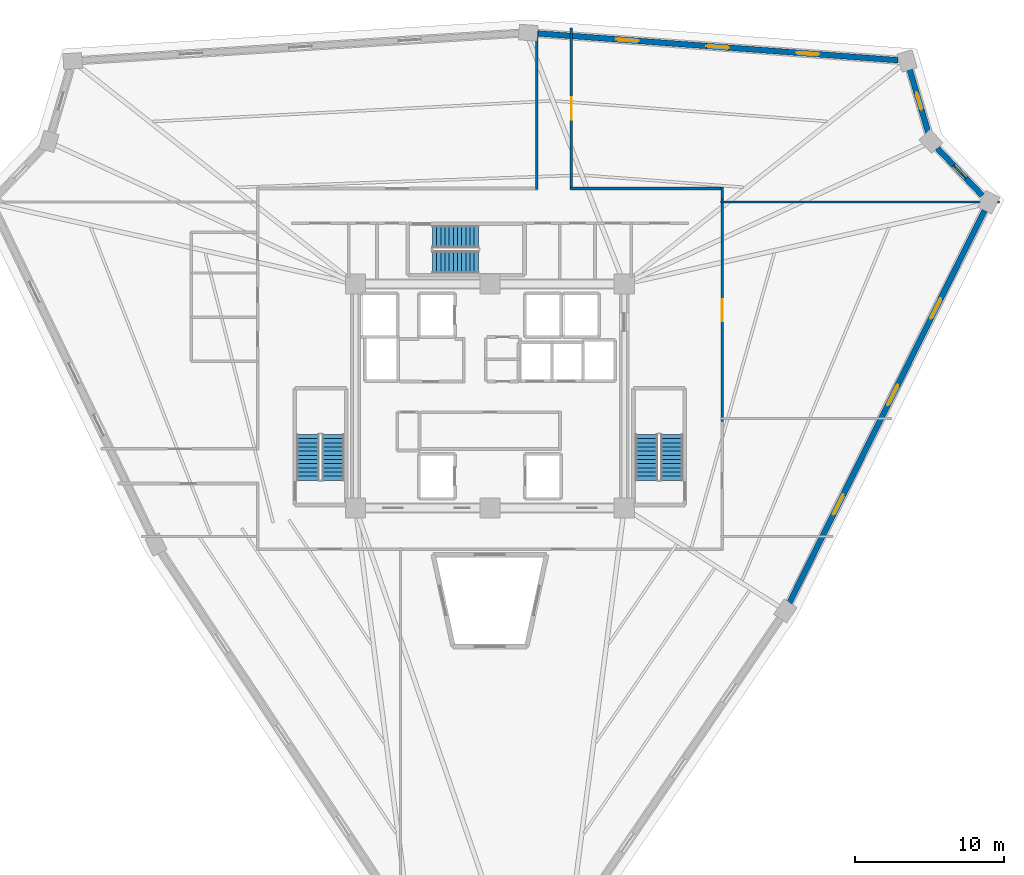
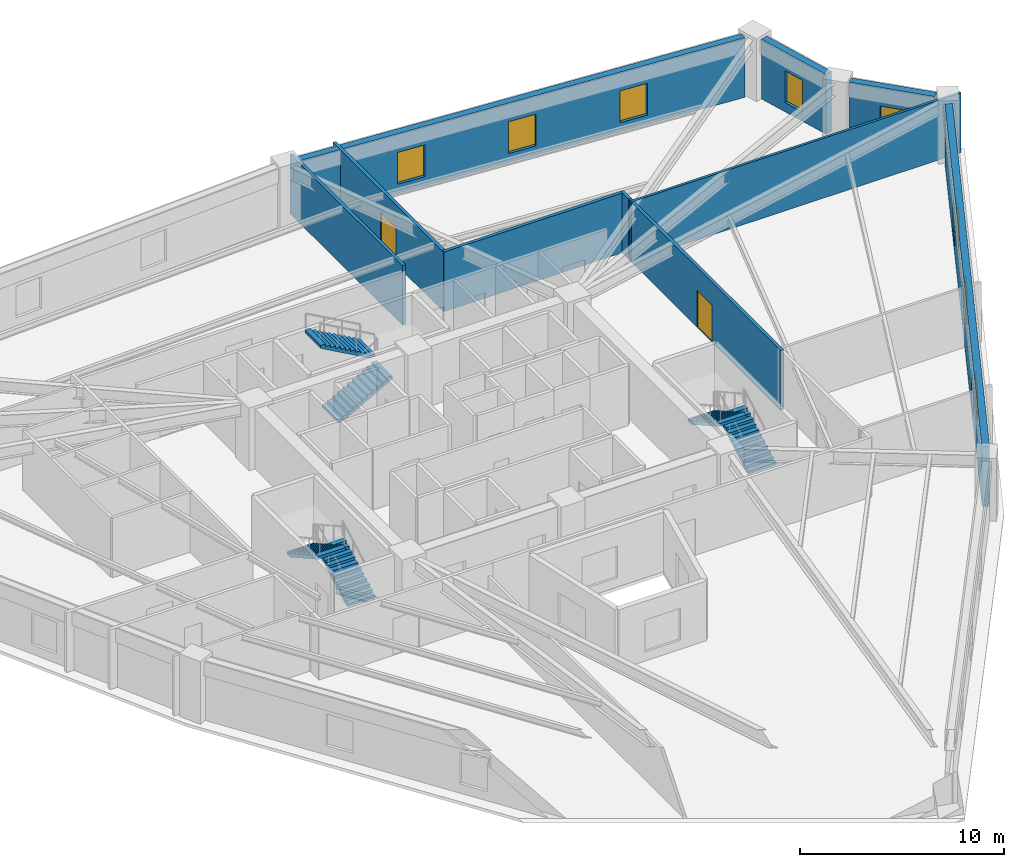
# One storey, part 7 of 8: 10 walls, 8 windows, 6 stair flights, 2 doors, 10 openings, 3 elements without a shape of their own.
"""IFC4 building model written with IfcOpenShell, lengths in metres."""

from ifc_helpers import new_model, si_unit, direction, frame, frame_2d, origin, place, context, subcontext, project, spatial, polyline, rectangle, outline, extrude, source, transform, mapped, material, layer, layer_set, type_object, element, fill, aggregate, save


model = new_model("IFC4")

# Units and contexts
model_context = context("Model", 3, precision=1e-05, world=origin(), true_north=direction((0.0, 1.0)))
body_context = subcontext(model_context, "Body", "Model", "MODEL_VIEW")
ifc_project = project(units=[si_unit("LENGTHUNIT", "METRE"), si_unit("AREAUNIT", "SQUARE_METRE"), si_unit("VOLUMEUNIT", "CUBIC_METRE"), si_unit("PLANEANGLEUNIT", "RADIAN"), si_unit("MASSUNIT", "GRAM", prefix="KILO")], contexts=[model_context])

# Site, building, storey
site_placement = place(None, origin())
site = spatial("IfcSite", under=ifc_project, at=site_placement, CompositionType="ELEMENT")
building_placement = place(site_placement, origin())
building = spatial("IfcBuilding", under=site, at=building_placement, Name="Liaohun Quay Tower", CompositionType="ELEMENT")
storey_placement = place(building_placement, frame((0.0, 0.0, 220.5)))
storey = spatial("IfcBuildingStorey", under=building, at=storey_placement, Name="L57", CompositionType="ELEMENT", Elevation=220.5)

# Wall, openings, windows
ifc_material_1 = material(Name="Precast concrete C50 insulated sandwich", Category="concrete")
ifc_layer_1 = layer(ifc_material_1, 0.3798828125, Name="Precast concrete C50 insulated sandwich", Category="concrete")
ifc_layer_set_1 = layer_set([ifc_layer_1], Name="Precast concrete C50 insulated sandwich")
wall_type_1 = type_object("IfcWallType", Name="WAL-EXT-Z34", PredefinedType="SOLIDWALL", material=ifc_layer_set_1)
wall_1_placement = place(storey_placement, frame((80.069091796875, 40.156005859375, 0.0), z_axis=(0.0, 0.0, 1.0), x_axis=(0.445352625388, 0.895355258576, 0.0)))
wall_1 = element("IfcWall", 1, at=wall_1_placement, inside=storey, type_object=wall_type_1, Name="L57 Brutalist Precast Pier Wall 03", PredefinedType="SOLIDWALL", context=body_context, shape_type="SweptSolid", body=[
    extrude(rectangle(XDim=29.349365234375, YDim=0.3798828125, at=frame_2d((14.6748046875, 0.0))), origin(), (0.0, 0.0, 1.0), 3.570068359375),
])
shared_shape_1 = source(origin(), body_context, "Body", "SweptSolid", [
    extrude(rectangle(XDim=1.5, YDim=1.89990234375, at=frame_2d((0.75, 0.949951171875))), frame((0.0, 0.199951171875, 0.0), z_axis=(0.0, -1.0, 0.0), x_axis=(1.0, 0.0, 0.0)), (0.0, 0.0, 1.0), 0.39990234375),
])
opening_1_placement = place(wall_1_placement, frame((6.5869140625, 0.0, 0.550048828125)))
opening_1 = element("IfcOpeningElement", 2, at=opening_1_placement, cuts=wall_1, Name="Opening W03", PredefinedType="OPENING", context=body_context, shape_type="MappedRepresentation", body=[
    mapped(shared_shape_1, transform((0.0, 0.0, 0.0), x_axis=(1.0, 0.0, 0.0), y_axis=(0.0, 1.0, 0.0), z_axis=(0.0, 0.0, 1.0), scale=1.0)),
])
opening_2_placement = place(wall_1_placement, frame((14.77490234375, 0.0, 0.550048828125)))
opening_2 = element("IfcOpeningElement", 3, at=opening_2_placement, cuts=wall_1, Name="Opening W03", PredefinedType="OPENING", context=body_context, shape_type="MappedRepresentation", body=[
    mapped(shared_shape_1, transform((0.0, 0.0, 0.0), x_axis=(1.0, 0.0, 0.0), y_axis=(0.0, 1.0, 0.0), z_axis=(0.0, 0.0, 1.0), scale=1.0)),
])
opening_3_placement = place(wall_1_placement, frame((21.261962890625, 0.0, 0.550048828125)))
opening_3 = element("IfcOpeningElement", 4, at=opening_3_placement, cuts=wall_1, Name="Opening W03", PredefinedType="OPENING", context=body_context, shape_type="MappedRepresentation", body=[
    mapped(shared_shape_1, transform((0.0, 0.0, 0.0), x_axis=(1.0, 0.0, 0.0), y_axis=(0.0, 1.0, 0.0), z_axis=(0.0, 0.0, 1.0), scale=1.0)),
])
ifc_material_2 = material(Name="Triple Low-E argon glazing in thermally broken aluminium", Category="aluminium")
window_type_1 = type_object("IfcWindowType", Name="WIN-PUN-Z3", PartitioningType="DOUBLE_PANEL_VERTICAL", PredefinedType="WINDOW", material=ifc_material_2)
shared_shape_2 = source(origin(), body_context, "Body", "SweptSolid", [
    extrude(rectangle(XDim=1.5, YDim=1.89990234375, at=frame_2d((0.75, 0.949951171875))), frame((0.0, 0.030029296875, 0.0), z_axis=(0.0, -1.0, 0.0), x_axis=(1.0, 0.0, 0.0)), (0.0, 0.0, 1.0), 0.06005859375),
])
window_1_placement = place(opening_1_placement, origin())
window_1 = element("IfcWindow", 5, at=window_1_placement, inside=storey, type_object=window_type_1, Name="L57 Recessed Cold-Climate Punched Window 03-1", OverallHeight=1.89990234375, OverallWidth=1.5, PartitioningType="DOUBLE_PANEL_VERTICAL", PredefinedType="WINDOW", context=body_context, shape_type="MappedRepresentation", body=[
    mapped(shared_shape_2, transform((0.0, 0.0, 0.0), x_axis=(1.0, 0.0, 0.0), y_axis=(0.0, 1.0, 0.0), z_axis=(0.0, 0.0, 1.0), scale=1.0)),
])
fill(opening_1, window_1)
window_2_placement = place(opening_2_placement, origin())
window_2 = element("IfcWindow", 6, at=window_2_placement, inside=storey, type_object=window_type_1, Name="L57 Recessed Cold-Climate Punched Window 03-2", OverallHeight=1.89990234375, OverallWidth=1.5, PartitioningType="DOUBLE_PANEL_VERTICAL", PredefinedType="WINDOW", context=body_context, shape_type="MappedRepresentation", body=[
    mapped(shared_shape_2, transform((0.0, 0.0, 0.0), x_axis=(1.0, 0.0, 0.0), y_axis=(0.0, 1.0, 0.0), z_axis=(0.0, 0.0, 1.0), scale=1.0)),
])
fill(opening_2, window_2)
window_3_placement = place(opening_3_placement, origin())
window_3 = element("IfcWindow", 7, at=window_3_placement, inside=storey, type_object=window_type_1, Name="L57 Recessed Cold-Climate Punched Window 03-3", OverallHeight=1.89990234375, OverallWidth=1.5, PartitioningType="DOUBLE_PANEL_VERTICAL", PredefinedType="WINDOW", context=body_context, shape_type="MappedRepresentation", body=[
    mapped(shared_shape_2, transform((0.0, 0.0, 0.0), x_axis=(1.0, 0.0, 0.0), y_axis=(0.0, 1.0, 0.0), z_axis=(0.0, 0.0, 1.0), scale=1.0)),
])
fill(opening_3, window_3)

# Wall, opening, window
wall_2_placement = place(storey_placement, frame((92.989990234375, 67.430908203125, 0.0), z_axis=(0.0, 0.0, 1.0), x_axis=(-0.689446721654, 0.724336398368, 0.0)))
wall_2 = element("IfcWall", 8, at=wall_2_placement, inside=storey, type_object=wall_type_1, Name="L57 Brutalist Precast Pier Wall 04", PredefinedType="SOLIDWALL", context=body_context, shape_type="SweptSolid", body=[
    extrude(rectangle(XDim=4.387451171875, YDim=0.3798828125, at=frame_2d((2.19384765625, 0.0))), origin(), (0.0, 0.0, 1.0), 3.570068359375),
])
shared_shape_3 = source(origin(), body_context, "Body", "SweptSolid", [
    extrude(rectangle(XDim=1.199951171875, YDim=1.89990234375, at=frame_2d((0.60009765625, 0.949951171875))), frame((0.0, 0.199951171875, 0.0), z_axis=(0.0, -1.0, 0.0), x_axis=(1.0, 0.0, 0.0)), (0.0, 0.0, 1.0), 0.39990234375),
])
opening_4_placement = place(wall_2_placement, frame((1.593994140625, 0.0, 0.550048828125)))
opening_4 = element("IfcOpeningElement", 9, at=opening_4_placement, cuts=wall_2, Name="Opening W05", PredefinedType="OPENING", context=body_context, shape_type="MappedRepresentation", body=[
    mapped(shared_shape_3, transform((0.0, 0.0, 0.0), x_axis=(1.0, 0.0, 0.0), y_axis=(0.0, 1.0, 0.0), z_axis=(0.0, 0.0, 1.0), scale=1.0)),
])
ifc_material_3 = material(Name="Triple Low-E corner notch glazing", Category="glass")
window_type_2 = type_object("IfcWindowType", Name="WIN-NOTCH", PartitioningType="SINGLE_PANEL", PredefinedType="WINDOW", material=ifc_material_3)
shared_shape_4 = source(origin(), body_context, "Body", "SweptSolid", [
    extrude(rectangle(XDim=1.199951171875, YDim=1.89990234375, at=frame_2d((0.60009765625, 0.949951171875))), frame((0.0, 0.030029296875, 0.0), z_axis=(0.0, -1.0, 0.0), x_axis=(1.0, 0.0, 0.0)), (0.0, 0.0, 1.0), 0.06005859375),
])
window_4_placement = place(opening_4_placement, origin())
window_4 = element("IfcWindow", 10, at=window_4_placement, inside=storey, type_object=window_type_2, Name="L57 Corner Notch Window W05-04", OverallHeight=1.89990234375, OverallWidth=1.199951171875, PartitioningType="SINGLE_PANEL", PredefinedType="WINDOW", context=body_context, shape_type="MappedRepresentation", body=[
    mapped(shared_shape_4, transform((0.0, 0.0, 0.0), x_axis=(1.0, 0.0, 0.0), y_axis=(0.0, 1.0, 0.0), z_axis=(0.0, 0.0, 1.0), scale=1.0)),
])
fill(opening_4, window_4)

wall_3_placement = place(storey_placement, frame((89.366943359375, 71.64501953125, 0.0), z_axis=(0.0, 0.0, 1.0), x_axis=(-0.282713462933, 0.959204408808, 0.0)))
wall_3 = element("IfcWall", 11, at=wall_3_placement, inside=storey, type_object=wall_type_1, Name="L57 Brutalist Precast Pier Wall 05", PredefinedType="SOLIDWALL", context=body_context, shape_type="SweptSolid", body=[
    extrude(rectangle(XDim=4.396484375, YDim=0.3798828125, at=frame_2d((2.1982421875, 0.0))), origin(), (0.0, 0.0, 1.0), 3.570068359375),
])
opening_5_placement = place(wall_3_placement, frame((1.597900390625, 0.0, 0.550048828125)))
opening_5 = element("IfcOpeningElement", 12, at=opening_5_placement, cuts=wall_3, Name="Opening W05", PredefinedType="OPENING", context=body_context, shape_type="MappedRepresentation", body=[
    mapped(shared_shape_3, transform((0.0, 0.0, 0.0), x_axis=(1.0, 0.0, 0.0), y_axis=(0.0, 1.0, 0.0), z_axis=(0.0, 0.0, 1.0), scale=1.0)),
])
window_5_placement = place(opening_5_placement, origin())
window_5 = element("IfcWindow", 13, at=window_5_placement, inside=storey, type_object=window_type_2, Name="L57 Corner Notch Window W05-05", OverallHeight=1.89990234375, OverallWidth=1.199951171875, PartitioningType="SINGLE_PANEL", PredefinedType="WINDOW", context=body_context, shape_type="MappedRepresentation", body=[
    mapped(shared_shape_4, transform((0.0, 0.0, 0.0), x_axis=(1.0, 0.0, 0.0), y_axis=(0.0, 1.0, 0.0), z_axis=(0.0, 0.0, 1.0), scale=1.0)),
])
fill(opening_5, window_5)

# Wall, openings, windows
wall_4_placement = place(storey_placement, frame((87.3369140625, 76.498046875, 0.0), z_axis=(0.0, 0.0, 1.0), x_axis=(-0.997247530885, 0.074144198316, 0.0)))
wall_4 = element("IfcWall", 14, at=wall_4_placement, inside=storey, type_object=wall_type_1, Name="L57 Brutalist Precast Pier Wall 06", PredefinedType="SOLIDWALL", context=body_context, shape_type="SweptSolid", body=[
    extrude(rectangle(XDim=24.2216796875, YDim=0.3798828125, at=frame_2d((12.11083984375, 0.0))), origin(), (0.0, 0.0, 1.0), 3.570068359375),
])
opening_6_placement = place(wall_4_placement, frame((5.304931640625, 0.0, 0.550048828125)))
opening_6 = element("IfcOpeningElement", 15, at=opening_6_placement, cuts=wall_4, Name="Opening W03", PredefinedType="OPENING", context=body_context, shape_type="MappedRepresentation", body=[
    mapped(shared_shape_1, transform((0.0, 0.0, 0.0), x_axis=(1.0, 0.0, 0.0), y_axis=(0.0, 1.0, 0.0), z_axis=(0.0, 0.0, 1.0), scale=1.0)),
])
opening_7_placement = place(wall_4_placement, frame((11.361083984375, 0.0, 0.550048828125)))
opening_7 = element("IfcOpeningElement", 16, at=opening_7_placement, cuts=wall_4, Name="Opening W03", PredefinedType="OPENING", context=body_context, shape_type="MappedRepresentation", body=[
    mapped(shared_shape_1, transform((0.0, 0.0, 0.0), x_axis=(1.0, 0.0, 0.0), y_axis=(0.0, 1.0, 0.0), z_axis=(0.0, 0.0, 1.0), scale=1.0)),
])
opening_8_placement = place(wall_4_placement, frame((17.416015625, 0.0, 0.550048828125)))
opening_8 = element("IfcOpeningElement", 17, at=opening_8_placement, cuts=wall_4, Name="Opening W03", PredefinedType="OPENING", context=body_context, shape_type="MappedRepresentation", body=[
    mapped(shared_shape_1, transform((0.0, 0.0, 0.0), x_axis=(1.0, 0.0, 0.0), y_axis=(0.0, 1.0, 0.0), z_axis=(0.0, 0.0, 1.0), scale=1.0)),
])
window_6_placement = place(opening_6_placement, origin())
window_6 = element("IfcWindow", 18, at=window_6_placement, inside=storey, type_object=window_type_1, Name="L57 Recessed Cold-Climate Punched Window 06-1", OverallHeight=1.89990234375, OverallWidth=1.5, PartitioningType="DOUBLE_PANEL_VERTICAL", PredefinedType="WINDOW", context=body_context, shape_type="MappedRepresentation", body=[
    mapped(shared_shape_2, transform((0.0, 0.0, 0.0), x_axis=(1.0, 0.0, 0.0), y_axis=(0.0, 1.0, 0.0), z_axis=(0.0, 0.0, 1.0), scale=1.0)),
])
fill(opening_6, window_6)
window_7_placement = place(opening_7_placement, origin())
window_7 = element("IfcWindow", 19, at=window_7_placement, inside=storey, type_object=window_type_1, Name="L57 Recessed Cold-Climate Punched Window 06-2", OverallHeight=1.89990234375, OverallWidth=1.5, PartitioningType="DOUBLE_PANEL_VERTICAL", PredefinedType="WINDOW", context=body_context, shape_type="MappedRepresentation", body=[
    mapped(shared_shape_2, transform((0.0, 0.0, 0.0), x_axis=(1.0, 0.0, 0.0), y_axis=(0.0, 1.0, 0.0), z_axis=(0.0, 0.0, 1.0), scale=1.0)),
])
fill(opening_7, window_7)
window_8_placement = place(opening_8_placement, origin())
window_8 = element("IfcWindow", 20, at=window_8_placement, inside=storey, type_object=window_type_1, Name="L57 Recessed Cold-Climate Punched Window 06-3", OverallHeight=1.89990234375, OverallWidth=1.5, PartitioningType="DOUBLE_PANEL_VERTICAL", PredefinedType="WINDOW", context=body_context, shape_type="MappedRepresentation", body=[
    mapped(shared_shape_2, transform((0.0, 0.0, 0.0), x_axis=(1.0, 0.0, 0.0), y_axis=(0.0, 1.0, 0.0), z_axis=(0.0, 0.0, 1.0), scale=1.0)),
])
fill(opening_8, window_8)

# Wall, opening, door
ifc_material_4 = material(Name="Autoclaved aerated concrete blockwork", Category="masonry")
ifc_layer_2 = layer(ifc_material_4, 0.179931640625, Name="Autoclaved aerated concrete blockwork", Category="masonry")
ifc_layer_set_2 = layer_set([ifc_layer_2], Name="Autoclaved aerated concrete blockwork")
wall_type_2 = type_object("IfcWallType", Name="WAL-PRT-COR", PredefinedType="PARTITIONING", material=ifc_layer_set_2)
wall_5_placement = place(storey_placement, frame((75.56005859375, 67.215087890625, 0.0), z_axis=(0.0, 0.0, 1.0), x_axis=(0.0, -1.0, 0.0)))
wall_5 = element("IfcWall", 21, at=wall_5_placement, inside=storey, type_object=wall_type_2, Name="L57 Interior Partition Wall 016", PredefinedType="PARTITIONING", context=body_context, shape_type="SweptSolid", body=[
    extrude(rectangle(XDim=14.93017578125, YDim=0.179931640625, at=frame_2d((7.465087890625, 0.0))), origin(), (0.0, 0.0, 1.0), 3.570068359375),
])
shared_shape_5 = source(origin(), body_context, "Body", "SweptSolid", [
    extrude(rectangle(XDim=1.5, YDim=2.199951171875, at=frame_2d((0.75, 1.10009765625))), frame((0.0, 0.099853515625, 0.0), z_axis=(0.0, -1.0, 0.0), x_axis=(1.0, 0.0, 0.0)), (0.0, 0.0, 1.0), 0.199951171875),
])
opening_9_placement = place(wall_5_placement, frame((6.715087890625, 0.0, 0.0)))
opening_9 = element("IfcOpeningElement", 22, at=opening_9_placement, cuts=wall_5, Name="Opening OD2", PredefinedType="OPENING", context=body_context, shape_type="MappedRepresentation", body=[
    mapped(shared_shape_5, transform((0.0, 0.0, 0.0), x_axis=(1.0, 0.0, 0.0), y_axis=(0.0, 1.0, 0.0), z_axis=(0.0, 0.0, 1.0), scale=1.0)),
])
ifc_material_5 = material(Name="Acoustic oak veneer double door")
door_type = type_object("IfcDoorType", Name="DOR-OFF-1500", OperationType="DOUBLE_DOOR_SINGLE_SWING", PredefinedType="DOOR", material=ifc_material_5)
shared_shape_6 = source(origin(), body_context, "Body", "SweptSolid", [
    extrude(rectangle(XDim=1.5, YDim=2.199951171875, at=frame_2d((0.75, 1.10009765625))), frame((0.0, 0.02490234375, 0.0), z_axis=(0.0, -1.0, 0.0), x_axis=(1.0, 0.0, 0.0)), (0.0, 0.0, 1.0), 0.050048828125),
])
door_1_placement = place(opening_9_placement, origin())
door_1 = element("IfcDoor", 23, at=door_1_placement, inside=storey, type_object=door_type, Name="L57 Staff Daycare Nursery 01 Door", OperationType="DOUBLE_DOOR_SINGLE_SWING", OverallHeight=2.199951171875, OverallWidth=1.5, PredefinedType="DOOR", context=body_context, shape_type="MappedRepresentation", body=[
    mapped(shared_shape_6, transform((0.0, 0.0, 0.0), x_axis=(1.0, 0.0, 0.0), y_axis=(0.0, 1.0, 0.0), z_axis=(0.0, 0.0, 1.0), scale=1.0)),
])
fill(opening_9, door_1)

wall_6_placement = place(storey_placement, frame((65.4599609375, 78.666015625, 0.0), z_axis=(0.0, 0.0, 1.0), x_axis=(0.0, -1.0, 0.0)))
wall_6 = element("IfcWall", 24, at=wall_6_placement, inside=storey, type_object=wall_type_2, Name="L57 Interior Partition Wall 017", PredefinedType="PARTITIONING", context=body_context, shape_type="SweptSolid", body=[
    extrude(rectangle(XDim=10.825927734375, YDim=0.179931640625, at=frame_2d((5.4130859375, 0.0))), origin(), (0.0, 0.0, 1.0), 3.570068359375),
])
opening_10_placement = place(wall_6_placement, frame((4.6630859375, 0.0, 0.0)))
opening_10 = element("IfcOpeningElement", 25, at=opening_10_placement, cuts=wall_6, Name="Opening OD2", PredefinedType="OPENING", context=body_context, shape_type="MappedRepresentation", body=[
    mapped(shared_shape_5, transform((0.0, 0.0, 0.0), x_axis=(1.0, 0.0, 0.0), y_axis=(0.0, 1.0, 0.0), z_axis=(0.0, 0.0, 1.0), scale=1.0)),
])
door_2_placement = place(opening_10_placement, origin())
door_2 = element("IfcDoor", 26, at=door_2_placement, inside=storey, type_object=door_type, Name="L57 Client Collaboration Lounge 02 Door", OperationType="DOUBLE_DOOR_SINGLE_SWING", OverallHeight=2.199951171875, OverallWidth=1.5, PredefinedType="DOOR", context=body_context, shape_type="MappedRepresentation", body=[
    mapped(shared_shape_6, transform((0.0, 0.0, 0.0), x_axis=(1.0, 0.0, 0.0), y_axis=(0.0, 1.0, 0.0), z_axis=(0.0, 0.0, 1.0), scale=1.0)),
])
fill(opening_10, door_2)

# Walls
wall_7_placement = place(storey_placement, frame((65.389892578125, 67.909912109375, 0.0), z_axis=(0.0, 0.0, 1.0), x_axis=(1.0, 0.0, 0.0)))
element("IfcWall", 27, at=wall_7_placement, inside=storey, type_object=wall_type_2, Name="L57 Interior Partition Wall 040", PredefinedType="PARTITIONING", context=body_context, shape_type="SweptSolid", body=[
    extrude(rectangle(XDim=10.239990234375, YDim=0.179931640625, at=frame_2d((5.1201171875, 0.0))), origin(), (0.0, 0.0, 1.0), 3.570068359375),
])
wall_8_placement = place(storey_placement, frame((75.56005859375, 67.97998046875, 0.0), z_axis=(0.0, 0.0, 1.0), x_axis=(0.0, -1.0, 0.0)))
element("IfcWall", 28, at=wall_8_placement, inside=storey, type_object=wall_type_2, Name="L57 Interior Partition Wall 041", PredefinedType="PARTITIONING", context=body_context, shape_type="SweptSolid", body=[
    extrude(rectangle(XDim=0.764892578125, YDim=0.179931640625, at=frame_2d((0.38232421875, 0.0))), origin(), (0.0, 0.0, 1.0), 3.570068359375),
])
wall_9_placement = place(storey_placement, frame((63.139892578125, 67.840087890625, 0.0), z_axis=(0.0, 0.0, 1.0), x_axis=(0.0, 1.0, 0.0)))
element("IfcWall", 29, at=wall_9_placement, inside=storey, type_object=wall_type_2, Name="L57 Interior Partition Wall 042", PredefinedType="PARTITIONING", context=body_context, shape_type="SweptSolid", body=[
    extrude(rectangle(XDim=10.9990234375, YDim=0.179931640625, at=frame_2d((5.49951171875, 0.0))), origin(), (0.0, 0.0, 1.0), 3.570068359375),
])
ifc_material_6 = material(Name="Gypsum board on twin steel studs", Category="steel")
ifc_layer_3 = layer(ifc_material_6, 0.139892578125, Name="Gypsum board on twin steel studs", Category="steel")
ifc_layer_set_3 = layer_set([ifc_layer_3], Name="Gypsum board on twin steel studs")
wall_type_3 = type_object("IfcWallType", Name="WAL-PRT-OFF", PredefinedType="PARTITIONING", material=ifc_layer_set_3)
wall_10_placement = place(storey_placement, frame((75.4599609375, 67.0, 0.0), z_axis=(0.0, 0.0, 1.0), x_axis=(1.0, 0.0, 0.0)))
element("IfcWall", 30, at=wall_10_placement, inside=storey, type_object=wall_type_3, Name="L57 Interior Partition Wall 053", PredefinedType="PARTITIONING", context=body_context, shape_type="SweptSolid", body=[
    extrude(rectangle(XDim=18.6650390625, YDim=0.139892578125, at=frame_2d((9.33251953125, 0.0))), origin(), (0.0, 0.0, 1.0), 3.570068359375),
])

# Stair, stair flights
ifc_material_7 = material(Name="Concrete C45", Category="concrete")
stair_type = type_object("IfcStairType", Name="STR-CORE-OFF", PredefinedType="HALF_TURN_STAIR", material=ifc_material_7)
stair_1_placement = place(storey_placement, origin())
stair_1 = element("IfcStair", 31, at=stair_1_placement, inside=storey, type_object=stair_type, Name="L57 Smokeproof Core Exit Stair ST-1", PredefinedType="HALF_TURN_STAIR")
stair_flight_type = type_object("IfcStairFlightType", Name="FLT-CORE-155", PredefinedType="STRAIGHT", material=ifc_material_7)
stair_flight_1_placement = place(storey_placement, frame((49.5048828125, 48.35009765625, 0.0), z_axis=(0.0, 0.0, 1.0), x_axis=(0.0, 1.0, 0.0)))
stair_flight_1 = element("IfcStairFlight", 32, at=stair_flight_1_placement, type_object=stair_flight_type, Name="ST-1 flight 1", NumberOfRisers=12, NumberOfTreads=11, PredefinedType="STRAIGHT", RiserHeight=0.15625, TreadLength=0.28, context=body_context, shape_type="SweptSolid", body=[
    extrude(outline(polyline([(0.0, 0.0), (0.0, 0.15625), (0.280029296875, 0.15625), (0.280029296875, 0.3125), (0.56005859375, 0.3125), (0.56005859375, 0.46875), (0.840087890625, 0.46875), (0.840087890625, 0.625), (1.1201171875, 0.625), (1.1201171875, 0.78125), (1.39990234375, 0.78125), (1.39990234375, 0.9375), (1.679931640625, 0.9375), (1.679931640625, 1.09375), (1.9599609375, 1.09375), (1.9599609375, 1.25), (2.239990234375, 1.25), (2.239990234375, 1.40625), (2.52001953125, 1.40625), (2.52001953125, 1.5625), (2.800048828125, 1.5625), (2.800048828125, 1.71875), (3.080078125, 1.71875), (3.080078125, 1.875), (3.080078125, 1.547119140625), (0.3076171875, 0.0), (0.0, 0.0)])), frame((0.0, 0.77490234375, 0.0), z_axis=(0.0, -1.0, 0.0), x_axis=(1.0, 0.0, 0.0)), (0.0, 0.0, 1.0), 1.550048828125),
])
stair_flight_2_placement = place(storey_placement, frame((47.81494140625, 51.429931640625, 1.875), z_axis=(0.0, 0.0, 1.0), x_axis=(0.0, -1.0, 0.0)))
stair_flight_2 = element("IfcStairFlight", 33, at=stair_flight_2_placement, type_object=stair_flight_type, Name="ST-1 flight 2", NumberOfRisers=12, NumberOfTreads=11, PredefinedType="STRAIGHT", RiserHeight=0.15625, TreadLength=0.28, context=body_context, shape_type="SweptSolid", body=[
    extrude(outline(polyline([(0.0, 0.0), (0.0, 0.15625), (0.280029296875, 0.15625), (0.280029296875, 0.3125), (0.56005859375, 0.3125), (0.56005859375, 0.46875), (0.840087890625, 0.46875), (0.840087890625, 0.625), (1.1201171875, 0.625), (1.1201171875, 0.78125), (1.39990234375, 0.78125), (1.39990234375, 0.9375), (1.679931640625, 0.9375), (1.679931640625, 1.09375), (1.9599609375, 1.09375), (1.9599609375, 1.25), (2.239990234375, 1.25), (2.239990234375, 1.40625), (2.52001953125, 1.40625), (2.52001953125, 1.5625), (2.800048828125, 1.5625), (2.800048828125, 1.71875), (3.080078125, 1.71875), (3.080078125, 1.875), (3.080078125, 1.547119140625), (0.3076171875, 0.0), (0.0, 0.0)])), frame((0.0, 0.77490234375, 0.0), z_axis=(0.0, -1.0, 0.0), x_axis=(1.0, 0.0, 0.0)), (0.0, 0.0, 1.0), 1.550048828125),
])
aggregate(stair_1, [stair_flight_1, stair_flight_2])

stair_2_placement = place(storey_placement, origin())
stair_2 = element("IfcStair", 34, at=stair_2_placement, inside=storey, type_object=stair_type, Name="L57 Smokeproof Core Exit Stair ST-2", PredefinedType="HALF_TURN_STAIR")
stair_flight_3_placement = place(storey_placement, frame((72.18505859375, 48.35009765625, 0.0), z_axis=(0.0, 0.0, 1.0), x_axis=(0.0, 1.0, 0.0)))
stair_flight_3 = element("IfcStairFlight", 35, at=stair_flight_3_placement, type_object=stair_flight_type, Name="ST-2 flight 1", NumberOfRisers=12, NumberOfTreads=11, PredefinedType="STRAIGHT", RiserHeight=0.15625, TreadLength=0.28, context=body_context, shape_type="SweptSolid", body=[
    extrude(outline(polyline([(0.0, 0.0), (0.0, 0.15625), (0.280029296875, 0.15625), (0.280029296875, 0.3125), (0.56005859375, 0.3125), (0.56005859375, 0.46875), (0.840087890625, 0.46875), (0.840087890625, 0.625), (1.1201171875, 0.625), (1.1201171875, 0.78125), (1.39990234375, 0.78125), (1.39990234375, 0.9375), (1.679931640625, 0.9375), (1.679931640625, 1.09375), (1.9599609375, 1.09375), (1.9599609375, 1.25), (2.239990234375, 1.25), (2.239990234375, 1.40625), (2.52001953125, 1.40625), (2.52001953125, 1.5625), (2.800048828125, 1.5625), (2.800048828125, 1.71875), (3.080078125, 1.71875), (3.080078125, 1.875), (3.080078125, 1.547119140625), (0.3076171875, 0.0), (0.0, 0.0)])), frame((0.0, 0.77490234375, 0.0), z_axis=(0.0, -1.0, 0.0), x_axis=(1.0, 0.0, 0.0)), (0.0, 0.0, 1.0), 1.550048828125),
])
stair_flight_4_placement = place(storey_placement, frame((70.4951171875, 51.429931640625, 1.875), z_axis=(0.0, 0.0, 1.0), x_axis=(0.0, -1.0, 0.0)))
stair_flight_4 = element("IfcStairFlight", 36, at=stair_flight_4_placement, type_object=stair_flight_type, Name="ST-2 flight 2", NumberOfRisers=12, NumberOfTreads=11, PredefinedType="STRAIGHT", RiserHeight=0.15625, TreadLength=0.28, context=body_context, shape_type="SweptSolid", body=[
    extrude(outline(polyline([(0.0, 0.0), (0.0, 0.15625), (0.280029296875, 0.15625), (0.280029296875, 0.3125), (0.56005859375, 0.3125), (0.56005859375, 0.46875), (0.840087890625, 0.46875), (0.840087890625, 0.625), (1.1201171875, 0.625), (1.1201171875, 0.78125), (1.39990234375, 0.78125), (1.39990234375, 0.9375), (1.679931640625, 0.9375), (1.679931640625, 1.09375), (1.9599609375, 1.09375), (1.9599609375, 1.25), (2.239990234375, 1.25), (2.239990234375, 1.40625), (2.52001953125, 1.40625), (2.52001953125, 1.5625), (2.800048828125, 1.5625), (2.800048828125, 1.71875), (3.080078125, 1.71875), (3.080078125, 1.875), (3.080078125, 1.547119140625), (0.3076171875, 0.0), (0.0, 0.0)])), frame((0.0, 0.77490234375, 0.0), z_axis=(0.0, -1.0, 0.0), x_axis=(1.0, 0.0, 0.0)), (0.0, 0.0, 1.0), 1.550048828125),
])
aggregate(stair_2, [stair_flight_3, stair_flight_4])

stair_3_placement = place(storey_placement, origin())
stair_3 = element("IfcStair", 37, at=stair_3_placement, inside=storey, type_object=stair_type, Name="L57 Smokeproof Core Exit Stair ST-3", PredefinedType="HALF_TURN_STAIR")
stair_flight_5_placement = place(storey_placement, frame((56.14990234375, 62.97509765625, 0.0), z_axis=(0.0, 0.0, 1.0), x_axis=(1.0, 0.0, 0.0)))
stair_flight_5 = element("IfcStairFlight", 38, at=stair_flight_5_placement, type_object=stair_flight_type, Name="ST-3 flight 1", NumberOfRisers=12, NumberOfTreads=11, PredefinedType="STRAIGHT", RiserHeight=0.15625, TreadLength=0.28, context=body_context, shape_type="SweptSolid", body=[
    extrude(outline(polyline([(0.0, 0.0), (0.0, 0.15625), (0.280029296875, 0.15625), (0.280029296875, 0.3125), (0.56005859375, 0.3125), (0.56005859375, 0.46875), (0.840087890625, 0.46875), (0.840087890625, 0.625), (1.1201171875, 0.625), (1.1201171875, 0.78125), (1.39990234375, 0.78125), (1.39990234375, 0.9375), (1.679931640625, 0.9375), (1.679931640625, 1.09375), (1.9599609375, 1.09375), (1.9599609375, 1.25), (2.239990234375, 1.25), (2.239990234375, 1.40625), (2.52001953125, 1.40625), (2.52001953125, 1.5625), (2.800048828125, 1.5625), (2.800048828125, 1.71875), (3.080078125, 1.71875), (3.080078125, 1.875), (3.080078125, 1.547119140625), (0.3076171875, 0.0), (0.0, 0.0)])), frame((0.0, 0.77490234375, 0.0), z_axis=(0.0, -1.0, 0.0), x_axis=(1.0, 0.0, 0.0)), (0.0, 0.0, 1.0), 1.550048828125),
])
stair_flight_6_placement = place(storey_placement, frame((59.22998046875, 64.6650390625, 1.875), z_axis=(0.0, 0.0, 1.0), x_axis=(-1.0, 0.0, 0.0)))
stair_flight_6 = element("IfcStairFlight", 39, at=stair_flight_6_placement, type_object=stair_flight_type, Name="ST-3 flight 2", NumberOfRisers=12, NumberOfTreads=11, PredefinedType="STRAIGHT", RiserHeight=0.15625, TreadLength=0.28, context=body_context, shape_type="SweptSolid", body=[
    extrude(outline(polyline([(0.0, 0.0), (0.0, 0.15625), (0.280029296875, 0.15625), (0.280029296875, 0.3125), (0.56005859375, 0.3125), (0.56005859375, 0.46875), (0.840087890625, 0.46875), (0.840087890625, 0.625), (1.1201171875, 0.625), (1.1201171875, 0.78125), (1.39990234375, 0.78125), (1.39990234375, 0.9375), (1.679931640625, 0.9375), (1.679931640625, 1.09375), (1.9599609375, 1.09375), (1.9599609375, 1.25), (2.239990234375, 1.25), (2.239990234375, 1.40625), (2.52001953125, 1.40625), (2.52001953125, 1.5625), (2.800048828125, 1.5625), (2.800048828125, 1.71875), (3.080078125, 1.71875), (3.080078125, 1.875), (3.080078125, 1.547119140625), (0.3076171875, 0.0), (0.0, 0.0)])), frame((0.0, 0.77490234375, 0.0), z_axis=(0.0, -1.0, 0.0), x_axis=(1.0, 0.0, 0.0)), (0.0, 0.0, 1.0), 1.550048828125),
])
aggregate(stair_3, [stair_flight_5, stair_flight_6])

save(model, "model.ifc")
